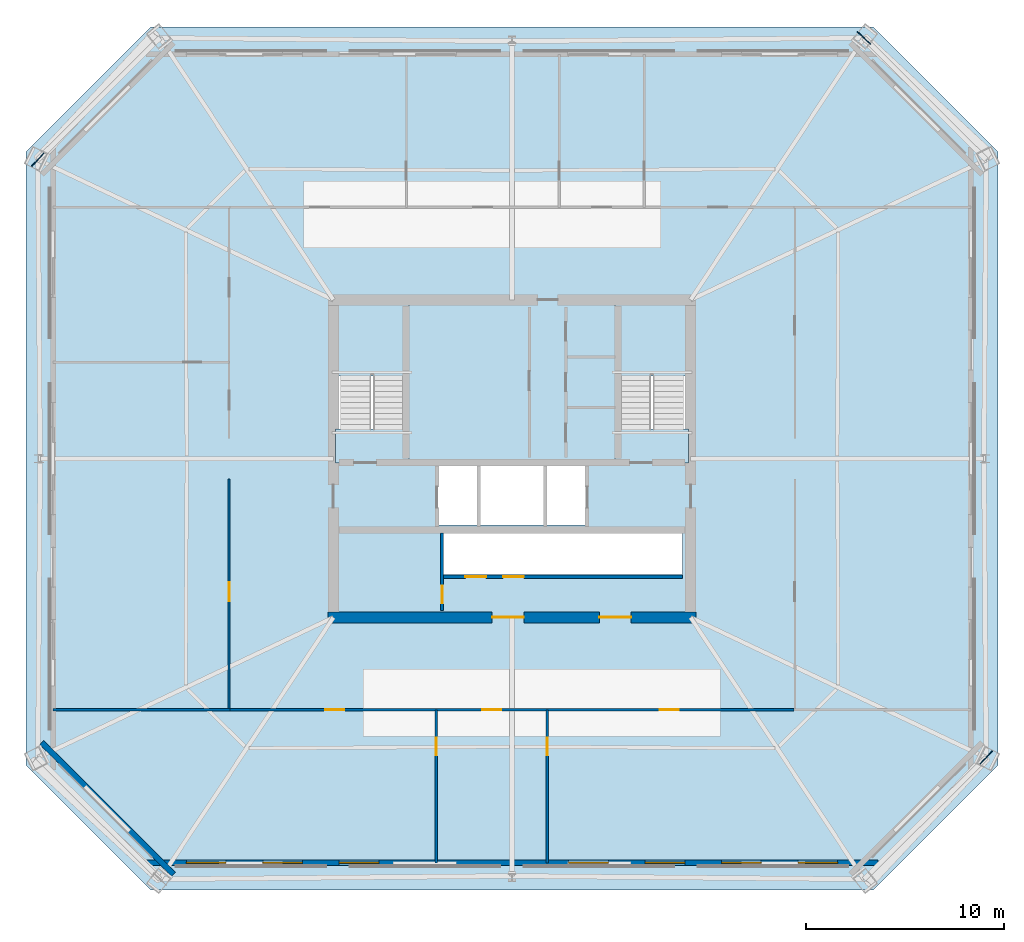
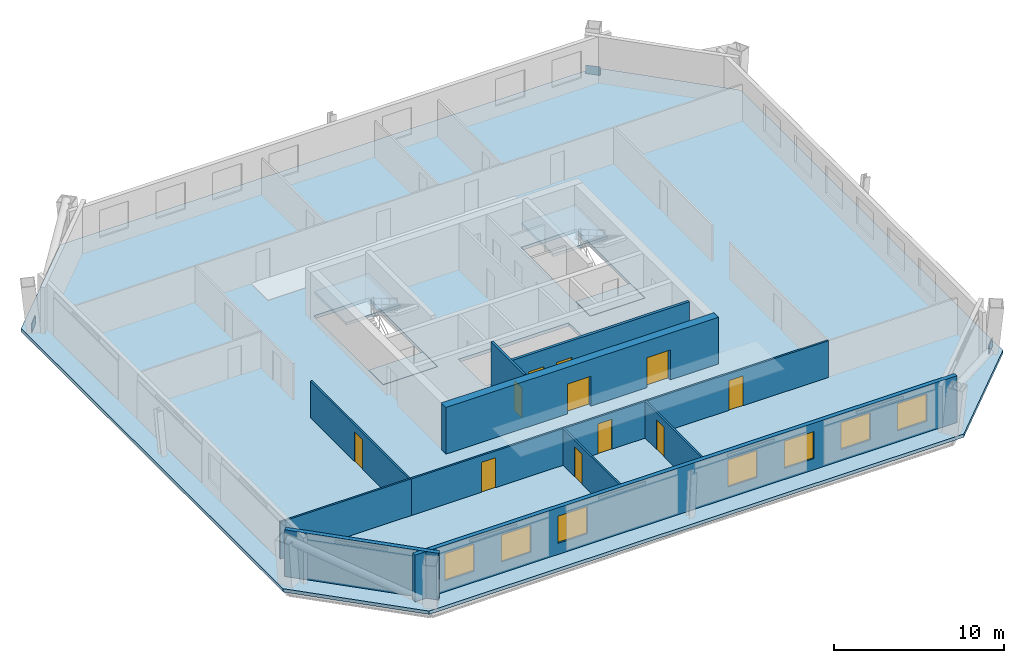
# One storey, part 2 of 7: 11 doors, 10 walls, 7 windows, 5 slabs, 3 plates, 18 openings, 2 elements without a shape of their own.
"""IFC4 building model written with IfcOpenShell, lengths in metres."""

from ifc_helpers import new_model, si_unit, direction, frame, frame_2d, origin, origin_2d, place, context, subcontext, project, spatial, polyline, rectangle, outline, extrude, material, layer, layer_set, type_object, element, fill, aggregate, save


model = new_model("IFC4")

# Units and contexts
model_context = context("Model", 3, precision=1e-05, world=origin(), true_north=direction((0.0, 1.0)))
body_context = subcontext(model_context, "Body", "Model", "MODEL_VIEW")
ifc_project = project(units=[si_unit("LENGTHUNIT", "METRE"), si_unit("AREAUNIT", "SQUARE_METRE"), si_unit("VOLUMEUNIT", "CUBIC_METRE"), si_unit("PLANEANGLEUNIT", "RADIAN"), si_unit("MASSUNIT", "GRAM", prefix="KILO")], contexts=[model_context])

# Site, building, storey
site_placement = place(None, origin())
site = spatial("IfcSite", under=ifc_project, at=site_placement, CompositionType="ELEMENT")
building_placement = place(site_placement, origin())
building = spatial("IfcBuilding", under=site, at=building_placement, Name="Caelvoria Tower", CompositionType="ELEMENT")
storey_placement = place(building_placement, frame((0.0, 0.0, 156.39990234375)))
storey = spatial("IfcBuildingStorey", under=building, at=storey_placement, Name="L41", CompositionType="ELEMENT", Elevation=156.39990234375)

# Plates
ifc_material_1 = material(Name="Structural Steel ASTM A572 Gr.50", Category="steel")
ifc_layer_1 = layer(ifc_material_1, 0.0400390625, Name="Structural Steel ASTM A572 Gr.50")
ifc_layer_set_1 = layer_set([ifc_layer_1], Name="Megaframe Node Gusset Plate 900x600x40 - Structural Steel ASTM A572 Gr.50")
plate_type = type_object("IfcPlateType", Name="Megaframe Node Gusset Plate 900x600x40", PredefinedType="USERDEFINED", material=ifc_layer_set_1)
for number, where, z_axis, x_axis, name in (
    (1, (69.89111328125, 16.93408203125, 0.02001953125), (0.0, 0.0, 1.0), (-0.682106851063, -0.731252517078, 0.0), "Chamfer Mega Brace Gusset L41 SE"),
    (2, (63.73779296875, 53.19775390625, 0.02001953125), (0.0, 0.0, 1.0), (0.733388247375, -0.679810031268, 0.0), "Chamfer Mega Brace Gusset L41 NE"),
    (3, (22.10888671875, 47.06591796875, 0.02001953125), (0.0, 0.0, 1.0), (0.682106851063, 0.731252517078, 0.0), "Chamfer Mega Brace Gusset L41 NW"),
):
    element("IfcPlate", number, at=place(storey_placement, frame(where, z_axis=z_axis, x_axis=x_axis)), inside=storey, type_object=plate_type, Name=name, ObjectType="GUSSET_PLATE", PredefinedType="USERDEFINED", context=body_context, shape_type="SweptSolid", body=[
        extrude(rectangle(XDim=0.89990234375, YDim=0.0400390625, at=origin_2d()), origin(), (0.0, 0.0, 1.0), 0.60009765625),
    ])

# Stair, slabs
ifc_material_2 = material(Name="Concrete C40/50", Category="concrete")
stair_type = type_object("IfcStairType", Name="Core Smokeproof Dogleg Stair Concrete C40/50", PredefinedType="HALF_TURN_STAIR", material=ifc_material_2)
stair_1_placement = place(storey_placement, origin())
stair_1 = element("IfcStair", 4, at=stair_1_placement, inside=storey, type_object=stair_type, Name="ST-01 Smokeproof Exit Stair L41", PredefinedType="HALF_TURN_STAIR")
ifc_layer_2 = layer(ifc_material_2, 0.199951171875, Name="Concrete C40/50")
ifc_layer_set_2 = layer_set([ifc_layer_2], Name="Stair Half and Floor Landing Slab 200 Concrete C40/50 - Concrete C40/50")
slab_type_1 = type_object("IfcSlabType", Name="Stair Half and Floor Landing Slab 200 Concrete C40/50", PredefinedType="LANDING", material=ifc_layer_set_2)
slab_1_placement = place(storey_placement, frame((0.0, 0.0, -0.199951171875)))
slab_1 = element("IfcSlab", 5, at=slab_1_placement, type_object=slab_type_1, Name="ST-01 landing 1", PredefinedType="LANDING", context=body_context, shape_type="SweptSolid", body=[
    extrude(outline(polyline([(37.10009765625, 31.77001953125), (40.800048828125, 31.77001953125), (40.800048828125, 33.5), (37.10009765625, 33.5), (37.10009765625, 31.77001953125)])), origin(), (0.0, 0.0, 1.0), 0.199951171875),
])
slab_2_placement = place(storey_placement, frame((0.0, 0.0, 1.60009765625)))
slab_2 = element("IfcSlab", 6, at=slab_2_placement, type_object=slab_type_1, Name="ST-01 landing 2", PredefinedType="LANDING", context=body_context, shape_type="SweptSolid", body=[
    extrude(outline(polyline([(37.10009765625, 36.14990234375), (40.800048828125, 36.14990234375), (40.800048828125, 39.89990234375), (37.10009765625, 39.89990234375), (37.10009765625, 36.14990234375)])), origin(), (0.0, 0.0, 1.0), 0.199951171875),
])
aggregate(stair_1, [slab_1, slab_2])

stair_2_placement = place(storey_placement, origin())
stair_2 = element("IfcStair", 7, at=stair_2_placement, inside=storey, type_object=stair_type, Name="ST-02 Smokeproof Exit Stair L41", PredefinedType="HALF_TURN_STAIR")
slab_3_placement = place(storey_placement, frame((0.0, 0.0, -0.199951171875)))
slab_3 = element("IfcSlab", 8, at=slab_3_placement, type_object=slab_type_1, Name="ST-02 landing 1", PredefinedType="LANDING", context=body_context, shape_type="SweptSolid", body=[
    extrude(outline(polyline([(51.199951171875, 31.77001953125), (54.89990234375, 31.77001953125), (54.89990234375, 33.5), (51.199951171875, 33.5), (51.199951171875, 31.77001953125)])), origin(), (0.0, 0.0, 1.0), 0.199951171875),
])
slab_4_placement = place(storey_placement, frame((0.0, 0.0, 1.60009765625)))
slab_4 = element("IfcSlab", 9, at=slab_4_placement, type_object=slab_type_1, Name="ST-02 landing 2", PredefinedType="LANDING", context=body_context, shape_type="SweptSolid", body=[
    extrude(outline(polyline([(51.199951171875, 36.14990234375), (54.89990234375, 36.14990234375), (54.89990234375, 39.89990234375), (51.199951171875, 39.89990234375), (51.199951171875, 36.14990234375)])), origin(), (0.0, 0.0, 1.0), 0.199951171875),
])
aggregate(stair_2, [slab_3, slab_4])

# Slab
ifc_layer_3 = layer(ifc_material_2, 0.239990234375, Name="Concrete C40/50")
ifc_layer_set_3 = layer_set([ifc_layer_3], Name="Tower Composite Office Slab 240 - Concrete C40/50")
slab_type_2 = type_object("IfcSlabType", Name="Tower Composite Office Slab 240", PredefinedType="FLOOR", material=ifc_layer_set_3)
slab_5_placement = place(storey_placement, frame((0.0, 0.0, -0.239990234375)))
element("IfcSlab", 10, at=slab_5_placement, inside=storey, type_object=slab_type_2, Name="Level L41 Structural Floor Slab", PredefinedType="FLOOR", context=body_context, shape_type="SweptSolid", body=[
    extrude(outline(polyline([(27.800048828125, 10.25), (64.199951171875, 10.25), (70.5, 16.550048828125), (70.5, 47.449951171875), (64.199951171875, 53.75), (27.800048828125, 53.75), (21.5, 47.449951171875), (21.5, 16.550048828125), (27.800048828125, 10.25)]), holes=[polyline([(37.080078125, 31.75), (40.820068359375, 31.75), (40.820068359375, 39.919921875), (37.080078125, 39.919921875), (37.080078125, 31.75)]), polyline([(51.179931640625, 31.75), (54.919921875, 31.75), (54.919921875, 39.919921875), (51.179931640625, 39.919921875), (51.179931640625, 31.75)]), polyline([(42.25, 28.64990234375), (49.75, 28.64990234375), (49.75, 31.800048828125), (42.25, 31.800048828125), (42.25, 28.64990234375)]), polyline([(42.550048828125, 26.14990234375), (54.60009765625, 26.14990234375), (54.60009765625, 28.25), (42.550048828125, 28.25), (42.550048828125, 26.14990234375)])]), origin(), (0.0, 0.0, 1.0), 0.239990234375),
])

# Wall, opening, door
ifc_material_3 = material(Name="Double Gypsum Board on Steel Stud", Category="steel")
ifc_layer_4 = layer(ifc_material_3, 0.14990234375, Name="Double Gypsum Board on Steel Stud")
ifc_layer_set_4 = layer_set([ifc_layer_4], Name="Core Service Acoustic Partition Wall 150 - Double Gypsum Board on Steel Stud")
wall_type_1 = type_object("IfcWallType", Name="Core Service Acoustic Partition Wall 150", PredefinedType="PARTITIONING", material=ifc_layer_set_4)
wall_1_placement = place(storey_placement, frame((42.47998046875, 24.35009765625, 0.0), z_axis=(0.0, 0.0, 1.0), x_axis=(0.0, 1.0, 0.0)))
wall_1 = element("IfcWall", 11, at=wall_1_placement, inside=storey, type_object=wall_type_1, Name="Interior Partition IW-L41-RECL1E", PredefinedType="PARTITIONING", context=body_context, shape_type="SweptSolid", body=[
    extrude(rectangle(XDim=3.89990234375, YDim=0.14990234375, at=frame_2d((1.949951171875, 0.0))), origin(), (0.0, 0.0, 1.0), 3.360107421875),
])
opening_1_placement = place(wall_1_placement, frame((0.35009765625, 0.0, 0.0)))
opening_1 = element("IfcOpeningElement", 12, at=opening_1_placement, cuts=wall_1, Name="Opening ID-04", PredefinedType="OPENING", context=body_context, shape_type="SweptSolid", body=[
    extrude(rectangle(XDim=0.89990234375, YDim=2.14990234375, at=frame_2d((0.449951171875, 1.074951171875))), frame((0.0, 0.0849609375, 0.0), z_axis=(0.0, -1.0, 0.0), x_axis=(1.0, 0.0, 0.0)), (0.0, 0.0, 1.0), 0.169921875),
])
ifc_material_4 = material(Name="Acoustic Timber Fire Door", Category="wood")
door_type_1 = type_object("IfcDoorType", Name="Fire Door FD30S 900x2150", OperationType="NOTDEFINED", PredefinedType="DOOR", material=ifc_material_4)
door_1_placement = place(opening_1_placement, origin())
door_1 = element("IfcDoor", 13, at=door_1_placement, inside=storey, type_object=door_type_1, Name="Interior Door DR-L41-RECL1", OperationType="SINGLE_SWING_LEFT", OverallHeight=2.14990234375, OverallWidth=0.89990234375, PredefinedType="DOOR", context=body_context, shape_type="SweptSolid", body=[
    extrude(rectangle(XDim=0.89990234375, YDim=2.14990234375, at=frame_2d((0.449951171875, 1.074951171875))), frame((0.0, 0.02490234375, 0.0), z_axis=(0.0, -1.0, 0.0), x_axis=(1.0, 0.0, 0.0)), (0.0, 0.0, 1.0), 0.050048828125),
])
fill(opening_1, door_1)

# Wall, openings, windows
ifc_material_5 = material(Name="Precast Concrete C40/50 with Bronze Cladding", Category="concrete")
ifc_layer_5 = layer(ifc_material_5, 0.280029296875, Name="Precast Concrete C40/50 with Bronze Cladding")
ifc_layer_set_5 = layer_set([ifc_layer_5], Name="Exterior Precast Concrete C40/50 Bronze-Clad Facade Wall 280 - Precast Concrete C40/50 with Bronze Cladding")
wall_type_2 = type_object("IfcWallType", Name="Exterior Precast Concrete C40/50 Bronze-Clad Facade Wall 280", PredefinedType="STANDARD", material=ifc_layer_set_5)
wall_2_placement = place(storey_placement, frame((27.56005859375, 11.6298828125, 0.0), z_axis=(0.0, 0.0, 1.0), x_axis=(1.0, 0.0, 0.0)))
wall_2 = element("IfcWall", 14, at=wall_2_placement, inside=storey, type_object=wall_type_2, Name="Exterior Facade Wall L41-E0", PredefinedType="STANDARD", context=body_context, shape_type="SweptSolid", body=[
    extrude(rectangle(XDim=36.8798828125, YDim=0.280029296875, at=frame_2d((18.43994140625, 0.0))), origin(), (0.0, 0.0, 1.0), 3.360107421875),
])
opening_2_placement = place(wall_2_placement, frame((2.026611328125, 0.0, 0.800048828125)))
opening_2 = element("IfcOpeningElement", 15, at=opening_2_placement, cuts=wall_2, Name="Opening WN-01", PredefinedType="OPENING", context=body_context, shape_type="SweptSolid", body=[
    extrude(rectangle(XDim=2.0, YDim=1.949951171875, at=frame_2d((1.0, 0.97509765625))), frame((0.0, 0.14990234375, 0.0), z_axis=(0.0, -1.0, 0.0), x_axis=(1.0, 0.0, 0.0)), (0.0, 0.0, 1.0), 0.300048828125),
])
opening_3_placement = place(wall_2_placement, frame((5.8798828125, 0.0, 0.800048828125)))
opening_3 = element("IfcOpeningElement", 16, at=opening_3_placement, cuts=wall_2, Name="Opening WN-01", PredefinedType="OPENING", context=body_context, shape_type="SweptSolid", body=[
    extrude(rectangle(XDim=2.0, YDim=1.949951171875, at=frame_2d((1.0, 0.97509765625))), frame((0.0, 0.14990234375, 0.0), z_axis=(0.0, -1.0, 0.0), x_axis=(1.0, 0.0, 0.0)), (0.0, 0.0, 1.0), 0.300048828125),
])
opening_4_placement = place(wall_2_placement, frame((9.7333984375, 0.0, 0.800048828125)))
opening_4 = element("IfcOpeningElement", 17, at=opening_4_placement, cuts=wall_2, Name="Opening WN-01", PredefinedType="OPENING", context=body_context, shape_type="SweptSolid", body=[
    extrude(rectangle(XDim=2.0, YDim=1.949951171875, at=frame_2d((1.0, 0.97509765625))), frame((0.0, 0.14990234375, 0.0), z_axis=(0.0, -1.0, 0.0), x_axis=(1.0, 0.0, 0.0)), (0.0, 0.0, 1.0), 0.300048828125),
])
opening_5_placement = place(wall_2_placement, frame((21.293212890625, 0.0, 0.800048828125)))
opening_5 = element("IfcOpeningElement", 18, at=opening_5_placement, cuts=wall_2, Name="Opening WN-01", PredefinedType="OPENING", context=body_context, shape_type="SweptSolid", body=[
    extrude(rectangle(XDim=2.0, YDim=1.949951171875, at=frame_2d((1.0, 0.97509765625))), frame((0.0, 0.14990234375, 0.0), z_axis=(0.0, -1.0, 0.0), x_axis=(1.0, 0.0, 0.0)), (0.0, 0.0, 1.0), 0.300048828125),
])
opening_6_placement = place(wall_2_placement, frame((25.146728515625, 0.0, 0.800048828125)))
opening_6 = element("IfcOpeningElement", 19, at=opening_6_placement, cuts=wall_2, Name="Opening WN-01", PredefinedType="OPENING", context=body_context, shape_type="SweptSolid", body=[
    extrude(rectangle(XDim=2.0, YDim=1.949951171875, at=frame_2d((1.0, 0.97509765625))), frame((0.0, 0.14990234375, 0.0), z_axis=(0.0, -1.0, 0.0), x_axis=(1.0, 0.0, 0.0)), (0.0, 0.0, 1.0), 0.300048828125),
])
opening_7_placement = place(wall_2_placement, frame((29.0, 0.0, 0.800048828125)))
opening_7 = element("IfcOpeningElement", 20, at=opening_7_placement, cuts=wall_2, Name="Opening WN-01", PredefinedType="OPENING", context=body_context, shape_type="SweptSolid", body=[
    extrude(rectangle(XDim=2.0, YDim=1.949951171875, at=frame_2d((1.0, 0.97509765625))), frame((0.0, 0.14990234375, 0.0), z_axis=(0.0, -1.0, 0.0), x_axis=(1.0, 0.0, 0.0)), (0.0, 0.0, 1.0), 0.300048828125),
])
opening_8_placement = place(wall_2_placement, frame((32.853271484375, 0.0, 0.800048828125)))
opening_8 = element("IfcOpeningElement", 21, at=opening_8_placement, cuts=wall_2, Name="Opening WN-01", PredefinedType="OPENING", context=body_context, shape_type="SweptSolid", body=[
    extrude(rectangle(XDim=2.0, YDim=1.949951171875, at=frame_2d((1.0, 0.97509765625))), frame((0.0, 0.14990234375, 0.0), z_axis=(0.0, -1.0, 0.0), x_axis=(1.0, 0.0, 0.0)), (0.0, 0.0, 1.0), 0.300048828125),
])
ifc_material_6 = material(Name="Low-E Tinted Glass in Bronze Aluminium Frame", Category="aluminium")
window_type = type_object("IfcWindowType", Name="Tower Office Vision Window 2000x1950", PartitioningType="SINGLE_PANEL", PredefinedType="WINDOW", material=ifc_material_6)
window_1_placement = place(opening_2_placement, origin())
window_1 = element("IfcWindow", 22, at=window_1_placement, inside=storey, type_object=window_type, Name="Facade Window L41-E0-00", OverallHeight=1.949951171875, OverallWidth=2.0, PartitioningType="SINGLE_PANEL", PredefinedType="WINDOW", context=body_context, shape_type="SweptSolid", body=[
    extrude(rectangle(XDim=2.0, YDim=1.949951171875, at=frame_2d((1.0, 0.97509765625))), frame((0.0, 0.030029296875, 0.0), z_axis=(0.0, -1.0, 0.0), x_axis=(1.0, 0.0, 0.0)), (0.0, 0.0, 1.0), 0.06005859375),
])
fill(opening_2, window_1)
window_2_placement = place(opening_3_placement, origin())
window_2 = element("IfcWindow", 23, at=window_2_placement, inside=storey, type_object=window_type, Name="Facade Window L41-E0-01", OverallHeight=1.949951171875, OverallWidth=2.0, PartitioningType="SINGLE_PANEL", PredefinedType="WINDOW", context=body_context, shape_type="SweptSolid", body=[
    extrude(rectangle(XDim=2.0, YDim=1.949951171875, at=frame_2d((1.0, 0.97509765625))), frame((0.0, 0.030029296875, 0.0), z_axis=(0.0, -1.0, 0.0), x_axis=(1.0, 0.0, 0.0)), (0.0, 0.0, 1.0), 0.06005859375),
])
fill(opening_3, window_2)
window_3_placement = place(opening_4_placement, origin())
window_3 = element("IfcWindow", 24, at=window_3_placement, inside=storey, type_object=window_type, Name="Facade Window L41-E0-02", OverallHeight=1.949951171875, OverallWidth=2.0, PartitioningType="SINGLE_PANEL", PredefinedType="WINDOW", context=body_context, shape_type="SweptSolid", body=[
    extrude(rectangle(XDim=2.0, YDim=1.949951171875, at=frame_2d((1.0, 0.97509765625))), frame((0.0, 0.030029296875, 0.0), z_axis=(0.0, -1.0, 0.0), x_axis=(1.0, 0.0, 0.0)), (0.0, 0.0, 1.0), 0.06005859375),
])
fill(opening_4, window_3)
window_4_placement = place(opening_5_placement, origin())
window_4 = element("IfcWindow", 25, at=window_4_placement, inside=storey, type_object=window_type, Name="Facade Window L41-E0-05", OverallHeight=1.949951171875, OverallWidth=2.0, PartitioningType="SINGLE_PANEL", PredefinedType="WINDOW", context=body_context, shape_type="SweptSolid", body=[
    extrude(rectangle(XDim=2.0, YDim=1.949951171875, at=frame_2d((1.0, 0.97509765625))), frame((0.0, 0.030029296875, 0.0), z_axis=(0.0, -1.0, 0.0), x_axis=(1.0, 0.0, 0.0)), (0.0, 0.0, 1.0), 0.06005859375),
])
fill(opening_5, window_4)
window_5_placement = place(opening_6_placement, origin())
window_5 = element("IfcWindow", 26, at=window_5_placement, inside=storey, type_object=window_type, Name="Facade Window L41-E0-06", OverallHeight=1.949951171875, OverallWidth=2.0, PartitioningType="SINGLE_PANEL", PredefinedType="WINDOW", context=body_context, shape_type="SweptSolid", body=[
    extrude(rectangle(XDim=2.0, YDim=1.949951171875, at=frame_2d((1.0, 0.97509765625))), frame((0.0, 0.030029296875, 0.0), z_axis=(0.0, -1.0, 0.0), x_axis=(1.0, 0.0, 0.0)), (0.0, 0.0, 1.0), 0.06005859375),
])
fill(opening_6, window_5)
window_6_placement = place(opening_7_placement, origin())
window_6 = element("IfcWindow", 27, at=window_6_placement, inside=storey, type_object=window_type, Name="Facade Window L41-E0-07", OverallHeight=1.949951171875, OverallWidth=2.0, PartitioningType="SINGLE_PANEL", PredefinedType="WINDOW", context=body_context, shape_type="SweptSolid", body=[
    extrude(rectangle(XDim=2.0, YDim=1.949951171875, at=frame_2d((1.0, 0.97509765625))), frame((0.0, 0.030029296875, 0.0), z_axis=(0.0, -1.0, 0.0), x_axis=(1.0, 0.0, 0.0)), (0.0, 0.0, 1.0), 0.06005859375),
])
fill(opening_7, window_6)
window_7_placement = place(opening_8_placement, origin())
window_7 = element("IfcWindow", 28, at=window_7_placement, inside=storey, type_object=window_type, Name="Facade Window L41-E0-08", OverallHeight=1.949951171875, OverallWidth=2.0, PartitioningType="SINGLE_PANEL", PredefinedType="WINDOW", context=body_context, shape_type="SweptSolid", body=[
    extrude(rectangle(XDim=2.0, YDim=1.949951171875, at=frame_2d((1.0, 0.97509765625))), frame((0.0, 0.030029296875, 0.0), z_axis=(0.0, -1.0, 0.0), x_axis=(1.0, 0.0, 0.0)), (0.0, 0.0, 1.0), 0.06005859375),
])
fill(opening_8, window_7)

# Wall
wall_3_placement = place(storey_placement, frame((22.30615234375, 17.695556640625, 0.0), z_axis=(0.0, 0.0, 1.0), x_axis=(0.707106781187, -0.707106781187, 0.0)))
element("IfcWall", 29, at=wall_3_placement, inside=storey, type_object=wall_type_2, Name="Exterior Facade Wall L41-E7", PredefinedType="STANDARD", context=body_context, shape_type="SweptSolid", body=[
    extrude(rectangle(XDim=9.3896484375, YDim=0.280029296875, at=frame_2d((4.69482421875, 0.0))), origin(), (0.0, 0.0, 1.0), 3.360107421875),
])

# Wall, openings, doors
ifc_material_7 = material(Name="Concrete Block and Fireboard Assembly", Category="concrete")
ifc_layer_6 = layer(ifc_material_7, 0.179931640625, Name="Concrete Block and Fireboard Assembly")
ifc_layer_set_6 = layer_set([ifc_layer_6], Name="Fire-Rated Hoistway Partition Wall 180 - Concrete Block and Fireboard Assembly")
wall_type_3 = type_object("IfcWallType", Name="Fire-Rated Hoistway Partition Wall 180", PredefinedType="PARTITIONING", material=ifc_layer_set_6)
wall_4_placement = place(storey_placement, frame((42.550048828125, 26.050048828125, 0.0), z_axis=(0.0, 0.0, 1.0), x_axis=(1.0, 0.0, 0.0)))
wall_4 = element("IfcWall", 30, at=wall_4_placement, inside=storey, type_object=wall_type_3, Name="Interior Partition IW-L41-LFRONT", PredefinedType="PARTITIONING", context=body_context, shape_type="SweptSolid", body=[
    extrude(rectangle(XDim=12.050048828125, YDim=0.179931640625, at=frame_2d((6.02490234375, 0.0))), origin(), (0.0, 0.0, 1.0), 3.360107421875),
])
opening_9_placement = place(wall_4_placement, frame((1.10009765625, 0.0, 0.0)))
opening_9 = element("IfcOpeningElement", 31, at=opening_9_placement, cuts=wall_4, Name="Opening LD-01", PredefinedType="OPENING", context=body_context, shape_type="SweptSolid", body=[
    extrude(rectangle(XDim=1.050048828125, YDim=2.14990234375, at=frame_2d((0.52490234375, 1.074951171875))), frame((0.0, 0.099853515625, 0.0), z_axis=(0.0, -1.0, 0.0), x_axis=(1.0, 0.0, 0.0)), (0.0, 0.0, 1.0), 0.199951171875),
])
opening_10_placement = place(wall_4_placement, frame((3.0, 0.0, 0.0)))
opening_10 = element("IfcOpeningElement", 32, at=opening_10_placement, cuts=wall_4, Name="Opening LD-01", PredefinedType="OPENING", context=body_context, shape_type="SweptSolid", body=[
    extrude(rectangle(XDim=1.050048828125, YDim=2.14990234375, at=frame_2d((0.52490234375, 1.074951171875))), frame((0.0, 0.099853515625, 0.0), z_axis=(0.0, -1.0, 0.0), x_axis=(1.0, 0.0, 0.0)), (0.0, 0.0, 1.0), 0.199951171875),
])
ifc_material_8 = material(Name="Brushed Bronze Stainless Sliding Landing Door", Category="aluminium")
door_type_2 = type_object("IfcDoorType", Name="Lift Landing Sliding Door 1100x2150", OperationType="NOTDEFINED", PredefinedType="DOOR", material=ifc_material_8)
door_2_placement = place(opening_9_placement, origin())
door_2 = element("IfcDoor", 33, at=door_2_placement, inside=storey, type_object=door_type_2, Name="Interior Door LD-L41-PM1", OperationType="SLIDING_TO_LEFT", OverallHeight=2.14990234375, OverallWidth=1.050048828125, PredefinedType="DOOR", context=body_context, shape_type="SweptSolid", body=[
    extrude(rectangle(XDim=1.050048828125, YDim=2.14990234375, at=frame_2d((0.52490234375, 1.074951171875))), frame((0.0, 0.02490234375, 0.0), z_axis=(0.0, -1.0, 0.0), x_axis=(1.0, 0.0, 0.0)), (0.0, 0.0, 1.0), 0.050048828125),
])
fill(opening_9, door_2)
door_3_placement = place(opening_10_placement, origin())
door_3 = element("IfcDoor", 34, at=door_3_placement, inside=storey, type_object=door_type_2, Name="Interior Door LD-L41-PM2", OperationType="SLIDING_TO_RIGHT", OverallHeight=2.14990234375, OverallWidth=1.050048828125, PredefinedType="DOOR", context=body_context, shape_type="SweptSolid", body=[
    extrude(rectangle(XDim=1.050048828125, YDim=2.14990234375, at=frame_2d((0.52490234375, 1.074951171875))), frame((0.0, 0.02490234375, 0.0), z_axis=(0.0, -1.0, 0.0), x_axis=(1.0, 0.0, 0.0)), (0.0, 0.0, 1.0), 0.050048828125),
])
fill(opening_10, door_3)

ifc_material_9 = material(Name="Concrete C55/67", Category="concrete")
ifc_layer_7 = layer(ifc_material_9, 0.550048828125, Name="Concrete C55/67")
ifc_layer_set_7 = layer_set([ifc_layer_7], Name="Mid Core Shear Wall 550 - Concrete C55/67")
wall_type_4 = type_object("IfcWallType", Name="Mid Core Shear Wall 550", PredefinedType="SHEAR", material=ifc_layer_set_7)
wall_5_placement = place(storey_placement, frame((36.72509765625, 24.0, 0.0), z_axis=(0.0, 0.0, 1.0), x_axis=(1.0, 0.0, 0.0)))
wall_5 = element("IfcWall", 35, at=wall_5_placement, inside=storey, type_object=wall_type_4, Name="Core Shear Wall L41 S", PredefinedType="SHEAR", context=body_context, shape_type="SweptSolid", body=[
    extrude(rectangle(XDim=18.5498046875, YDim=0.550048828125, at=frame_2d((9.27490234375, 0.0))), origin(), (0.0, 0.0, 1.0), 3.360107421875),
])
opening_11_placement = place(wall_5_placement, frame((8.27490234375, 0.0, 0.0)))
opening_11 = element("IfcOpeningElement", 36, at=opening_11_placement, cuts=wall_5, Name="Opening ID-08", PredefinedType="OPENING", context=body_context, shape_type="SweptSolid", body=[
    extrude(rectangle(XDim=1.60009765625, YDim=2.14990234375, at=frame_2d((0.800048828125, 1.074951171875))), frame((0.0, 0.284912109375, 0.0), z_axis=(0.0, -1.0, 0.0), x_axis=(1.0, 0.0, 0.0)), (0.0, 0.0, 1.0), 0.570068359375),
])
opening_12_placement = place(wall_5_placement, frame((13.675048828125, 0.0, 0.0)))
opening_12 = element("IfcOpeningElement", 37, at=opening_12_placement, cuts=wall_5, Name="Opening ID-08", PredefinedType="OPENING", context=body_context, shape_type="SweptSolid", body=[
    extrude(rectangle(XDim=1.60009765625, YDim=2.14990234375, at=frame_2d((0.800048828125, 1.074951171875))), frame((0.0, 0.284912109375, 0.0), z_axis=(0.0, -1.0, 0.0), x_axis=(1.0, 0.0, 0.0)), (0.0, 0.0, 1.0), 0.570068359375),
])
ifc_material_10 = material(Name="Bronze-Framed Fire-Rated Glazed Double Door", Category="aluminium")
door_type_3 = type_object("IfcDoorType", Name="Double Lobby Glazed Door 1600x2200", OperationType="NOTDEFINED", PredefinedType="DOOR", material=ifc_material_10)
door_4_placement = place(opening_11_placement, origin())
door_4 = element("IfcDoor", 38, at=door_4_placement, inside=storey, type_object=door_type_3, Name="Core Door DR-L41-LLOB-S1", OperationType="DOUBLE_DOOR_SINGLE_SWING", OverallHeight=2.14990234375, OverallWidth=1.60009765625, PredefinedType="DOOR", context=body_context, shape_type="SweptSolid", body=[
    extrude(rectangle(XDim=1.60009765625, YDim=2.14990234375, at=frame_2d((0.800048828125, 1.074951171875))), frame((0.0, 0.02490234375, 0.0), z_axis=(0.0, -1.0, 0.0), x_axis=(1.0, 0.0, 0.0)), (0.0, 0.0, 1.0), 0.050048828125),
])
fill(opening_11, door_4)
door_5_placement = place(opening_12_placement, origin())
door_5 = element("IfcDoor", 39, at=door_5_placement, inside=storey, type_object=door_type_3, Name="Core Door DR-L41-LLOB-S2", OperationType="DOUBLE_DOOR_SINGLE_SWING", OverallHeight=2.14990234375, OverallWidth=1.60009765625, PredefinedType="DOOR", context=body_context, shape_type="SweptSolid", body=[
    extrude(rectangle(XDim=1.60009765625, YDim=2.14990234375, at=frame_2d((0.800048828125, 1.074951171875))), frame((0.0, 0.02490234375, 0.0), z_axis=(0.0, -1.0, 0.0), x_axis=(1.0, 0.0, 0.0)), (0.0, 0.0, 1.0), 0.050048828125),
])
fill(opening_12, door_5)

# Wall, opening, door
ifc_material_11 = material(Name="Acoustic Gypsum Board on Light-Gauge Stud", Category="gypsum")
ifc_layer_8 = layer(ifc_material_11, 0.1201171875, Name="Acoustic Gypsum Board on Light-Gauge Stud")
ifc_layer_set_8 = layer_set([ifc_layer_8], Name="Tenant Suite Acoustic Partition Wall 120 - Acoustic Gypsum Board on Light-Gauge Stud")
wall_type_5 = type_object("IfcWallType", Name="Tenant Suite Acoustic Partition Wall 120", PredefinedType="PARTITIONING", material=ifc_layer_set_8)
wall_6_placement = place(storey_placement, frame((42.1875, 19.340087890625, 0.0), z_axis=(0.0, 0.0, 1.0), x_axis=(0.0, -1.0, 0.0)))
wall_6 = element("IfcWall", 40, at=wall_6_placement, inside=storey, type_object=wall_type_5, Name="Interior Partition IW-L41-SD-00-0", PredefinedType="PARTITIONING", context=body_context, shape_type="SweptSolid", body=[
    extrude(rectangle(XDim=7.710205078125, YDim=0.1201171875, at=frame_2d((3.85498046875, 0.0))), origin(), (0.0, 0.0, 1.0), 2.64013671875),
])
opening_13_placement = place(wall_6_placement, frame((1.39990234375, 0.0, 0.0)))
opening_13 = element("IfcOpeningElement", 41, at=opening_13_placement, cuts=wall_6, Name="Opening ID-06", PredefinedType="OPENING", context=body_context, shape_type="SweptSolid", body=[
    extrude(rectangle(XDim=0.89990234375, YDim=2.14990234375, at=frame_2d((0.449951171875, 1.074951171875))), frame((0.0, 0.070068359375, 0.0), z_axis=(0.0, -1.0, 0.0), x_axis=(1.0, 0.0, 0.0)), (0.0, 0.0, 1.0), 0.14013671875),
])
ifc_material_12 = material(Name="Engineered Andean Oak Veneer Door", Category="wood")
door_type_4 = type_object("IfcDoorType", Name="Interior Timber Door 900x2150", OperationType="NOTDEFINED", PredefinedType="DOOR", material=ifc_material_12)
door_6_placement = place(opening_13_placement, origin())
door_6 = element("IfcDoor", 42, at=door_6_placement, inside=storey, type_object=door_type_4, Name="Interior Door DR-L41-SM-00-0", OperationType="SINGLE_SWING_RIGHT", OverallHeight=2.14990234375, OverallWidth=0.89990234375, PredefinedType="DOOR", context=body_context, shape_type="SweptSolid", body=[
    extrude(rectangle(XDim=0.89990234375, YDim=2.14990234375, at=frame_2d((0.449951171875, 1.074951171875))), frame((0.0, 0.02490234375, 0.0), z_axis=(0.0, -1.0, 0.0), x_axis=(1.0, 0.0, 0.0)), (0.0, 0.0, 1.0), 0.050048828125),
])
fill(opening_13, door_6)

wall_7_placement = place(storey_placement, frame((47.779541015625, 19.340087890625, 0.0), z_axis=(0.0, 0.0, 1.0), x_axis=(0.0, -1.0, 0.0)))
wall_7 = element("IfcWall", 43, at=wall_7_placement, inside=storey, type_object=wall_type_5, Name="Interior Partition IW-L41-SD-01-0", PredefinedType="PARTITIONING", context=body_context, shape_type="SweptSolid", body=[
    extrude(rectangle(XDim=7.710205078125, YDim=0.1201171875, at=frame_2d((3.85498046875, 0.0))), origin(), (0.0, 0.0, 1.0), 2.64013671875),
])
opening_14_placement = place(wall_7_placement, frame((1.39990234375, 0.0, 0.0)))
opening_14 = element("IfcOpeningElement", 44, at=opening_14_placement, cuts=wall_7, Name="Opening ID-06", PredefinedType="OPENING", context=body_context, shape_type="SweptSolid", body=[
    extrude(rectangle(XDim=0.89990234375, YDim=2.14990234375, at=frame_2d((0.449951171875, 1.074951171875))), frame((0.0, 0.070068359375, 0.0), z_axis=(0.0, -1.0, 0.0), x_axis=(1.0, 0.0, 0.0)), (0.0, 0.0, 1.0), 0.14013671875),
])
door_7_placement = place(opening_14_placement, origin())
door_7 = element("IfcDoor", 45, at=door_7_placement, inside=storey, type_object=door_type_4, Name="Interior Door DR-L41-SM-01-0", OperationType="SINGLE_SWING_LEFT", OverallHeight=2.14990234375, OverallWidth=0.89990234375, PredefinedType="DOOR", context=body_context, shape_type="SweptSolid", body=[
    extrude(rectangle(XDim=0.89990234375, YDim=2.14990234375, at=frame_2d((0.449951171875, 1.074951171875))), frame((0.0, 0.02490234375, 0.0), z_axis=(0.0, -1.0, 0.0), x_axis=(1.0, 0.0, 0.0)), (0.0, 0.0, 1.0), 0.050048828125),
])
fill(opening_14, door_7)

# Wall, openings, doors
wall_8_placement = place(storey_placement, frame((31.800048828125, 19.340087890625, 0.0), z_axis=(0.0, 0.0, 1.0), x_axis=(1.0, 0.0, 0.0)))
wall_8 = element("IfcWall", 46, at=wall_8_placement, inside=storey, type_object=wall_type_5, Name="Interior Partition IW-L41-SCW-0", PredefinedType="PARTITIONING", context=body_context, shape_type="SweptSolid", body=[
    extrude(rectangle(XDim=28.39990234375, YDim=0.1201171875, at=frame_2d((14.199951171875, 0.0))), origin(), (0.0, 0.0, 1.0), 2.64013671875),
])
opening_15_placement = place(wall_8_placement, frame((4.788818359375, 0.0, 0.0)))
opening_15 = element("IfcOpeningElement", 47, at=opening_15_placement, cuts=wall_8, Name="Opening ID-05", PredefinedType="OPENING", context=body_context, shape_type="SweptSolid", body=[
    extrude(rectangle(XDim=0.949951171875, YDim=2.14990234375, at=frame_2d((0.47509765625, 1.074951171875))), frame((0.0, 0.070068359375, 0.0), z_axis=(0.0, -1.0, 0.0), x_axis=(1.0, 0.0, 0.0)), (0.0, 0.0, 1.0), 0.14013671875),
])
opening_16_placement = place(wall_8_placement, frame((12.70849609375, 0.0, 0.0)))
opening_16 = element("IfcOpeningElement", 48, at=opening_16_placement, cuts=wall_8, Name="Opening ID-05", PredefinedType="OPENING", context=body_context, shape_type="SweptSolid", body=[
    extrude(rectangle(XDim=0.949951171875, YDim=2.14990234375, at=frame_2d((0.47509765625, 1.074951171875))), frame((0.0, 0.070068359375, 0.0), z_axis=(0.0, -1.0, 0.0), x_axis=(1.0, 0.0, 0.0)), (0.0, 0.0, 1.0), 0.14013671875),
])
opening_17_placement = place(wall_8_placement, frame((21.644775390625, 0.0, 0.0)))
opening_17 = element("IfcOpeningElement", 49, at=opening_17_placement, cuts=wall_8, Name="Opening ID-05", PredefinedType="OPENING", context=body_context, shape_type="SweptSolid", body=[
    extrude(rectangle(XDim=0.949951171875, YDim=2.14990234375, at=frame_2d((0.47509765625, 1.074951171875))), frame((0.0, 0.070068359375, 0.0), z_axis=(0.0, -1.0, 0.0), x_axis=(1.0, 0.0, 0.0)), (0.0, 0.0, 1.0), 0.14013671875),
])
door_type_5 = type_object("IfcDoorType", Name="Interior Timber Door 950x2150", OperationType="NOTDEFINED", PredefinedType="DOOR", material=ifc_material_12)
door_8_placement = place(opening_15_placement, origin())
door_8 = element("IfcDoor", 50, at=door_8_placement, inside=storey, type_object=door_type_5, Name="Interior Door DR-L41-SC-00-0", OperationType="SINGLE_SWING_RIGHT", OverallHeight=2.14990234375, OverallWidth=0.949951171875, PredefinedType="DOOR", context=body_context, shape_type="SweptSolid", body=[
    extrude(rectangle(XDim=0.949951171875, YDim=2.14990234375, at=frame_2d((0.47509765625, 1.074951171875))), frame((0.0, 0.02490234375, 0.0), z_axis=(0.0, -1.0, 0.0), x_axis=(1.0, 0.0, 0.0)), (0.0, 0.0, 1.0), 0.050048828125),
])
fill(opening_15, door_8)
door_9_placement = place(opening_16_placement, origin())
door_9 = element("IfcDoor", 51, at=door_9_placement, inside=storey, type_object=door_type_5, Name="Interior Door DR-L41-SC-01-0", OperationType="SINGLE_SWING_LEFT", OverallHeight=2.14990234375, OverallWidth=0.949951171875, PredefinedType="DOOR", context=body_context, shape_type="SweptSolid", body=[
    extrude(rectangle(XDim=0.949951171875, YDim=2.14990234375, at=frame_2d((0.47509765625, 1.074951171875))), frame((0.0, 0.02490234375, 0.0), z_axis=(0.0, -1.0, 0.0), x_axis=(1.0, 0.0, 0.0)), (0.0, 0.0, 1.0), 0.050048828125),
])
fill(opening_16, door_9)
door_10_placement = place(opening_17_placement, origin())
door_10 = element("IfcDoor", 52, at=door_10_placement, inside=storey, type_object=door_type_5, Name="Interior Door DR-L41-SC-02-0", OperationType="SINGLE_SWING_RIGHT", OverallHeight=2.14990234375, OverallWidth=0.949951171875, PredefinedType="DOOR", context=body_context, shape_type="SweptSolid", body=[
    extrude(rectangle(XDim=0.949951171875, YDim=2.14990234375, at=frame_2d((0.47509765625, 1.074951171875))), frame((0.0, 0.02490234375, 0.0), z_axis=(0.0, -1.0, 0.0), x_axis=(1.0, 0.0, 0.0)), (0.0, 0.0, 1.0), 0.050048828125),
])
fill(opening_17, door_10)

# Wall, opening, door
wall_9_placement = place(storey_placement, frame((31.739990234375, 19.39990234375, 0.0), z_axis=(0.0, 0.0, 1.0), x_axis=(0.0, 1.0, 0.0)))
wall_9 = element("IfcWall", 53, at=wall_9_placement, inside=storey, type_object=wall_type_5, Name="Interior Partition IW-L41-WCW-0", PredefinedType="PARTITIONING", context=body_context, shape_type="SweptSolid", body=[
    extrude(rectangle(XDim=11.580078125, YDim=0.1201171875, at=frame_2d((5.7900390625, 0.0))), origin(), (0.0, 0.0, 1.0), 2.64013671875),
])
opening_18_placement = place(wall_9_placement, frame((5.4150390625, 0.0, 0.0)))
opening_18 = element("IfcOpeningElement", 54, at=opening_18_placement, cuts=wall_9, Name="Opening ID-05", PredefinedType="OPENING", context=body_context, shape_type="SweptSolid", body=[
    extrude(rectangle(XDim=0.949951171875, YDim=2.14990234375, at=frame_2d((0.47509765625, 1.074951171875))), frame((0.0, 0.070068359375, 0.0), z_axis=(0.0, -1.0, 0.0), x_axis=(1.0, 0.0, 0.0)), (0.0, 0.0, 1.0), 0.14013671875),
])
door_11_placement = place(opening_18_placement, origin())
door_11 = element("IfcDoor", 55, at=door_11_placement, inside=storey, type_object=door_type_5, Name="Interior Door DR-L41-WC-00-1", OperationType="SINGLE_SWING_LEFT", OverallHeight=2.14990234375, OverallWidth=0.949951171875, PredefinedType="DOOR", context=body_context, shape_type="SweptSolid", body=[
    extrude(rectangle(XDim=0.949951171875, YDim=2.14990234375, at=frame_2d((0.47509765625, 1.074951171875))), frame((0.0, 0.02490234375, 0.0), z_axis=(0.0, -1.0, 0.0), x_axis=(1.0, 0.0, 0.0)), (0.0, 0.0, 1.0), 0.050048828125),
])
fill(opening_18, door_11)

# Wall
wall_10_placement = place(storey_placement, frame((31.800048828125, 19.340087890625, 0.0), z_axis=(0.0, 0.0, 1.0), x_axis=(-1.0, 0.0, 0.0)))
element("IfcWall", 56, at=wall_10_placement, inside=storey, type_object=wall_type_5, Name="Interior Partition IW-L41-BSW-0", PredefinedType="PARTITIONING", context=body_context, shape_type="SweptSolid", body=[
    extrude(rectangle(XDim=8.920166015625, YDim=0.1201171875, at=frame_2d((4.4599609375, 0.0))), origin(), (0.0, 0.0, 1.0), 2.64013671875),
])

save(model, "model.ifc")
